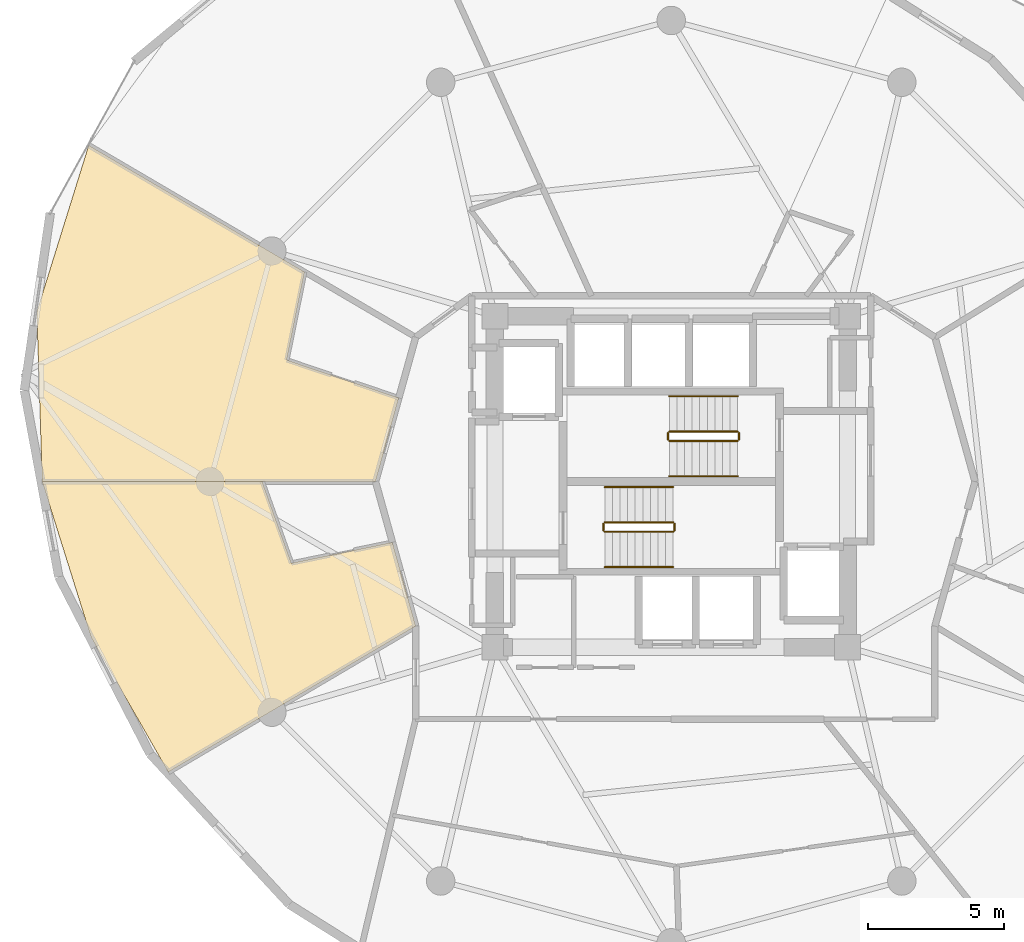
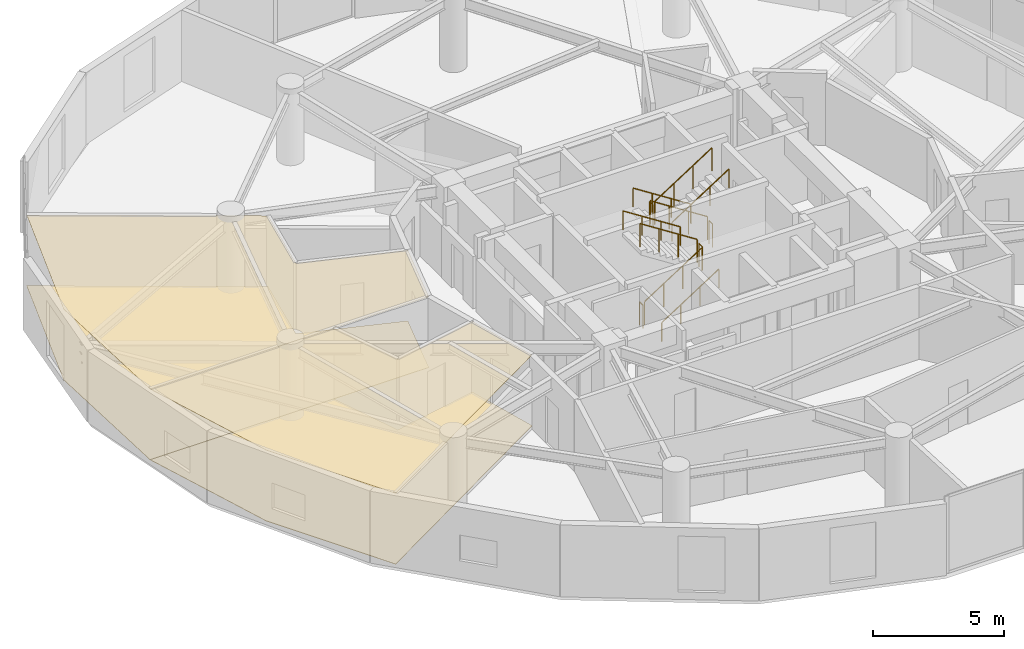
# One storey, part 20 of 21: 12 railings, 4 coverings.
"""IFC4 building model written with IfcOpenShell, lengths in metres."""

from ifc_helpers import new_model, si_unit, direction, frame, origin, origin_2d, place, context, subcontext, project, spatial, polyline, circle, outline, extrude, material, layer, layer_set, type_object, element, save


model = new_model("IFC4")

# Units and contexts
model_context = context("Model", 3, precision=1e-05, world=origin(), true_north=direction((0.0, 1.0)))
body_context = subcontext(model_context, "Body", "Model", "MODEL_VIEW")
ifc_project = project(units=[si_unit("LENGTHUNIT", "METRE"), si_unit("AREAUNIT", "SQUARE_METRE"), si_unit("VOLUMEUNIT", "CUBIC_METRE"), si_unit("PLANEANGLEUNIT", "RADIAN"), si_unit("MASSUNIT", "GRAM", prefix="KILO")], contexts=[model_context])

# Site, building, storey
site_placement = place(None, origin())
site = spatial("IfcSite", under=ifc_project, at=site_placement, CompositionType="ELEMENT")
building_placement = place(site_placement, origin())
building = spatial("IfcBuilding", under=site, at=building_placement, Name="Solvirekh Grand Hotel", CompositionType="ELEMENT")
storey_placement = place(building_placement, frame((0.0, 0.0, 131.39990234375)))
storey = spatial("IfcBuildingStorey", under=building, at=storey_placement, Name="L33", CompositionType="ELEMENT", Elevation=131.39990234375)

# Coverings
ifc_material_1 = material(Name="Acoustic Mineral Ceiling Tile")
ifc_layer_1 = layer(ifc_material_1, 0.02490234375)
ifc_layer_set_1 = layer_set([ifc_layer_1], Name="Acoustic Mineral Ceiling Tile")
covering_type_1 = type_object("IfcCoveringType", Name="Cov_Ceiling_Acoustic", PredefinedType="CEILING", material=ifc_layer_set_1)
covering_1_placement = place(storey_placement, frame((0.0, 0.0, 3.300048828125)))
element("IfcCovering", 1, at=covering_1_placement, inside=storey, type_object=covering_type_1, Name="L33 Deluxe Guestroom 3503 acoustic ceiling", PredefinedType="CEILING", context=body_context, shape_type="SweptSolid", body=[
    extrude(outline(polyline([(-14.174072265625, 4.48388671875), (-13.51806640625, 7.72998046875), (-21.47412109375, 12.39794921875), (-23.385986328125, 6.26611328125), (-23.18798828125, 0.0), (-10.89990234375, 0.0), (-10.0419921875, 3.089111328125), (-14.174072265625, 4.48388671875)])), origin(), (0.0, 0.0, 1.0), 0.01806640625),
])
covering_2_placement = place(storey_placement, frame((0.0, 0.0, 3.300048828125)))
element("IfcCovering", 2, at=covering_2_placement, inside=storey, type_object=covering_type_1, Name="L33 Deluxe Guestroom 3504 acoustic ceiling", PredefinedType="CEILING", context=body_context, shape_type="SweptSolid", body=[
    extrude(outline(polyline([(-14.00390625, -3.00390625), (-15.077880859375, 0.0), (-23.18798828125, 0.0), (-21.388916015625, -5.73095703125), (-18.5419921875, -10.705078125), (-9.419921875, -5.324951171875), (-10.278076171875, -2.236083984375), (-14.00390625, -3.00390625)])), origin(), (0.0, 0.0, 1.0), 0.01806640625),
])
ifc_material_2 = material(Name="Porcelain Stoneware Flooring", Category="masonry")
ifc_layer_2 = layer(ifc_material_2, 0.030029296875)
ifc_layer_set_2 = layer_set([ifc_layer_2], Name="Porcelain Stoneware Flooring")
covering_type_2 = type_object("IfcCoveringType", Name="Cov_Floor_Stone", PredefinedType="FLOORING", material=ifc_layer_set_2)
covering_3_placement = place(storey_placement, origin())
element("IfcCovering", 3, at=covering_3_placement, inside=storey, type_object=covering_type_2, Name="L33 Deluxe Guestroom 3503 polished granite flooring", PredefinedType="FLOORING", context=body_context, shape_type="SweptSolid", body=[
    extrude(outline(polyline([(-14.174072265625, 4.48388671875), (-13.51806640625, 7.72998046875), (-21.47412109375, 12.39794921875), (-23.385986328125, 6.26611328125), (-23.18798828125, 0.0), (-10.89990234375, 0.0), (-10.0419921875, 3.089111328125), (-14.174072265625, 4.48388671875)])), origin(), (0.0, 0.0, 1.0), 0.02001953125),
])
covering_4_placement = place(storey_placement, origin())
element("IfcCovering", 4, at=covering_4_placement, inside=storey, type_object=covering_type_2, Name="L33 Deluxe Guestroom 3504 polished granite flooring", PredefinedType="FLOORING", context=body_context, shape_type="SweptSolid", body=[
    extrude(outline(polyline([(-14.00390625, -3.00390625), (-15.077880859375, 0.0), (-23.18798828125, 0.0), (-21.388916015625, -5.73095703125), (-18.5419921875, -10.705078125), (-9.419921875, -5.324951171875), (-10.278076171875, -2.236083984375), (-14.00390625, -3.00390625)])), origin(), (0.0, 0.0, 1.0), 0.02001953125),
])

# Railings
ifc_material_3 = material(Name="Steel S355", Category="steel")
railing_type_1 = type_object("IfcRailingType", Name="Guard_Stair_1100", PredefinedType="GUARDRAIL", material=ifc_material_3)
railing_1_placement = place(storey_placement, frame((-2.449951171875, -1.85009765625, 0.18017578125)))
element("IfcRailing", 5, at=railing_1_placement, inside=storey, type_object=railing_type_1, Name="L33 ST-1 stair guard 1", PredefinedType="GUARDRAIL", context=body_context, shape_type="SweptSolid", body=[
    extrude(circle(Radius=0.02392578125, at=origin_2d()), frame((0.0, 0.0, 1.076171875), z_axis=(0.841199657755, 0.0, 0.540724639528), x_axis=(0.0, 1.0, 0.0)), (0.0, 0.0, 1.0), 2.995849609375),
    extrude(circle(Radius=0.02099609375, at=origin_2d()), origin(), (0.0, 0.0, 1.0), 1.052001953125),
    extrude(circle(Radius=0.02099609375, at=origin_2d()), frame((0.840087890625, 0.0, 0.5400390625)), (0.0, 0.0, 1.0), 1.052001953125),
    extrude(circle(Radius=0.02099609375, at=origin_2d()), frame((1.679931640625, 0.0, 1.079833984375)), (0.0, 0.0, 1.0), 1.052001953125),
    extrude(circle(Radius=0.02099609375, at=origin_2d()), frame((2.52001953125, 0.0, 1.619873046875)), (0.0, 0.0, 1.0), 1.052001953125),
])
railing_2_placement = place(storey_placement, frame((0.1201171875, -1.800048828125, 1.800048828125)))
element("IfcRailing", 6, at=railing_2_placement, inside=storey, type_object=railing_type_1, Name="L33 ST-1 stair guard 2", PredefinedType="GUARDRAIL", context=body_context, shape_type="SweptSolid", body=[
    extrude(circle(Radius=0.02392578125, at=origin_2d()), frame((0.0, 0.0, 1.076171875), z_axis=(0.0, 1.0, 0.0), x_axis=(-1.0, 0.0, 0.0)), (0.0, 0.0, 1.0), 0.25),
    extrude(circle(Radius=0.02099609375, at=origin_2d()), origin(), (0.0, 0.0, 1.0), 1.052001953125),
    extrude(circle(Radius=0.02099609375, at=origin_2d()), frame((0.0, 0.25, 0.0)), (0.0, 0.0, 1.0), 1.052001953125),
])
railing_3_placement = place(storey_placement, frame((0.070068359375, -1.5, 1.97998046875)))
element("IfcRailing", 7, at=railing_3_placement, inside=storey, type_object=railing_type_1, Name="L33 ST-1 stair guard 3", PredefinedType="GUARDRAIL", context=body_context, shape_type="SweptSolid", body=[
    extrude(circle(Radius=0.02392578125, at=origin_2d()), frame((0.0, 0.0, 1.076171875), z_axis=(-0.841162588446, 0.0, 0.540782303519), x_axis=(0.0, -1.0, 0.0)), (0.0, 0.0, 1.0), 2.995849609375),
    extrude(circle(Radius=0.02099609375, at=origin_2d()), origin(), (0.0, 0.0, 1.0), 1.052001953125),
    extrude(circle(Radius=0.02099609375, at=origin_2d()), frame((-0.840087890625, 0.0, 0.5400390625)), (0.0, 0.0, 1.0), 1.052001953125),
    extrude(circle(Radius=0.02099609375, at=origin_2d()), frame((-1.679931640625, 0.0, 1.080078125)), (0.0, 0.0, 1.0), 1.052001953125),
    extrude(circle(Radius=0.02099609375, at=origin_2d()), frame((-2.52001953125, 0.0, 1.6201171875)), (0.0, 0.0, 1.0), 1.052001953125),
])
railing_4_placement = place(storey_placement, frame((-2.5, -1.800048828125, 0.0)))
element("IfcRailing", 8, at=railing_4_placement, inside=storey, type_object=railing_type_1, Name="L33 ST-1 stair guard 4", PredefinedType="GUARDRAIL", context=body_context, shape_type="SweptSolid", body=[
    extrude(circle(Radius=0.02392578125, at=origin_2d()), frame((0.0, 0.0, 1.076171875), z_axis=(0.0, 1.0, 0.0), x_axis=(-1.0, 0.0, 0.0)), (0.0, 0.0, 1.0), 0.25),
    extrude(circle(Radius=0.02099609375, at=origin_2d()), origin(), (0.0, 0.0, 1.0), 1.052001953125),
    extrude(circle(Radius=0.02099609375, at=origin_2d()), frame((0.0, 0.25, 0.0)), (0.0, 0.0, 1.0), 1.052001953125),
])
railing_5_placement = place(storey_placement, frame((2.449951171875, 1.85009765625, 0.18017578125)))
element("IfcRailing", 9, at=railing_5_placement, inside=storey, type_object=railing_type_1, Name="L33 ST-2 stair guard 1", PredefinedType="GUARDRAIL", context=body_context, shape_type="SweptSolid", body=[
    extrude(circle(Radius=0.02392578125, at=origin_2d()), frame((0.0, 0.0, 1.076171875), z_axis=(-0.841199657755, 0.0, 0.540724639528), x_axis=(0.0, -1.0, 0.0)), (0.0, 0.0, 1.0), 2.995849609375),
    extrude(circle(Radius=0.02099609375, at=origin_2d()), origin(), (0.0, 0.0, 1.0), 1.052001953125),
    extrude(circle(Radius=0.02099609375, at=origin_2d()), frame((-0.840087890625, 0.0, 0.5400390625)), (0.0, 0.0, 1.0), 1.052001953125),
    extrude(circle(Radius=0.02099609375, at=origin_2d()), frame((-1.679931640625, 0.0, 1.079833984375)), (0.0, 0.0, 1.0), 1.052001953125),
    extrude(circle(Radius=0.02099609375, at=origin_2d()), frame((-2.52001953125, 0.0, 1.619873046875)), (0.0, 0.0, 1.0), 1.052001953125),
])
railing_6_placement = place(storey_placement, frame((-0.1201171875, 1.800048828125, 1.800048828125)))
element("IfcRailing", 10, at=railing_6_placement, inside=storey, type_object=railing_type_1, Name="L33 ST-2 stair guard 2", PredefinedType="GUARDRAIL", context=body_context, shape_type="SweptSolid", body=[
    extrude(circle(Radius=0.02392578125, at=origin_2d()), frame((0.0, 0.0, 1.076171875), z_axis=(0.0, -1.0, 0.0), x_axis=(1.0, 0.0, 0.0)), (0.0, 0.0, 1.0), 0.25),
    extrude(circle(Radius=0.02099609375, at=origin_2d()), origin(), (0.0, 0.0, 1.0), 1.052001953125),
    extrude(circle(Radius=0.02099609375, at=origin_2d()), frame((0.0, -0.25, 0.0)), (0.0, 0.0, 1.0), 1.052001953125),
])
railing_7_placement = place(storey_placement, frame((-0.070068359375, 1.5, 1.97998046875)))
element("IfcRailing", 11, at=railing_7_placement, inside=storey, type_object=railing_type_1, Name="L33 ST-2 stair guard 3", PredefinedType="GUARDRAIL", context=body_context, shape_type="SweptSolid", body=[
    extrude(circle(Radius=0.02392578125, at=origin_2d()), frame((0.0, 0.0, 1.076171875), z_axis=(0.841162588446, 0.0, 0.540782303519), x_axis=(0.0, 1.0, 0.0)), (0.0, 0.0, 1.0), 2.995849609375),
    extrude(circle(Radius=0.02099609375, at=origin_2d()), origin(), (0.0, 0.0, 1.0), 1.052001953125),
    extrude(circle(Radius=0.02099609375, at=origin_2d()), frame((0.840087890625, 0.0, 0.5400390625)), (0.0, 0.0, 1.0), 1.052001953125),
    extrude(circle(Radius=0.02099609375, at=origin_2d()), frame((1.679931640625, 0.0, 1.080078125)), (0.0, 0.0, 1.0), 1.052001953125),
    extrude(circle(Radius=0.02099609375, at=origin_2d()), frame((2.52001953125, 0.0, 1.6201171875)), (0.0, 0.0, 1.0), 1.052001953125),
])
railing_8_placement = place(storey_placement, frame((2.5, 1.800048828125, 0.0)))
element("IfcRailing", 12, at=railing_8_placement, inside=storey, type_object=railing_type_1, Name="L33 ST-2 stair guard 4", PredefinedType="GUARDRAIL", context=body_context, shape_type="SweptSolid", body=[
    extrude(circle(Radius=0.02392578125, at=origin_2d()), frame((0.0, 0.0, 1.076171875), z_axis=(0.0, -1.0, 0.0), x_axis=(1.0, 0.0, 0.0)), (0.0, 0.0, 1.0), 0.25),
    extrude(circle(Radius=0.02099609375, at=origin_2d()), origin(), (0.0, 0.0, 1.0), 1.052001953125),
    extrude(circle(Radius=0.02099609375, at=origin_2d()), frame((0.0, -0.25, 0.0)), (0.0, 0.0, 1.0), 1.052001953125),
])
ifc_material_4 = material(Name="Anodized Bronze Aluminium 6063-T6", Category="aluminium")
railing_type_2 = type_object("IfcRailingType", Name="Handrail_Wall_900", PredefinedType="HANDRAIL", material=ifc_material_4)
railing_9_placement = place(storey_placement, frame((-2.449951171875, -3.14990234375, 0.18017578125)))
element("IfcRailing", 13, at=railing_9_placement, inside=storey, type_object=railing_type_2, Name="L33 ST-1 stair handrail 1", PredefinedType="HANDRAIL", context=body_context, shape_type="SweptSolid", body=[
    extrude(circle(Radius=0.02392578125, at=origin_2d()), frame((0.0, 0.0, 0.8759765625), z_axis=(0.841199657755, 0.0, 0.540724639528), x_axis=(0.0, 1.0, 0.0)), (0.0, 0.0, 1.0), 2.995849609375),
    extrude(circle(Radius=0.02099609375, at=origin_2d()), origin(), (0.0, 0.0, 1.0), 0.851806640625),
    extrude(circle(Radius=0.02099609375, at=origin_2d()), frame((0.840087890625, 0.0, 0.5400390625)), (0.0, 0.0, 1.0), 0.851806640625),
    extrude(circle(Radius=0.02099609375, at=origin_2d()), frame((1.679931640625, 0.0, 1.079833984375)), (0.0, 0.0, 1.0), 0.851806640625),
    extrude(circle(Radius=0.02099609375, at=origin_2d()), frame((2.52001953125, 0.0, 1.619873046875)), (0.0, 0.0, 1.0), 0.851806640625),
])
railing_10_placement = place(storey_placement, frame((0.070068359375, -0.199951171875, 1.97998046875)))
element("IfcRailing", 14, at=railing_10_placement, inside=storey, type_object=railing_type_2, Name="L33 ST-1 stair handrail 2", PredefinedType="HANDRAIL", context=body_context, shape_type="SweptSolid", body=[
    extrude(circle(Radius=0.02392578125, at=origin_2d()), frame((0.0, 0.0, 0.8759765625), z_axis=(-0.841162588446, 0.0, 0.540782303519), x_axis=(0.0, -1.0, 0.0)), (0.0, 0.0, 1.0), 2.995849609375),
    extrude(circle(Radius=0.02099609375, at=origin_2d()), origin(), (0.0, 0.0, 1.0), 0.851806640625),
    extrude(circle(Radius=0.02099609375, at=origin_2d()), frame((-0.840087890625, 0.0, 0.5400390625)), (0.0, 0.0, 1.0), 0.851806640625),
    extrude(circle(Radius=0.02099609375, at=origin_2d()), frame((-1.679931640625, 0.0, 1.080078125)), (0.0, 0.0, 1.0), 0.851806640625),
    extrude(circle(Radius=0.02099609375, at=origin_2d()), frame((-2.52001953125, 0.0, 1.6201171875)), (0.0, 0.0, 1.0), 0.851806640625),
])
railing_11_placement = place(storey_placement, frame((2.449951171875, 3.14990234375, 0.18017578125)))
element("IfcRailing", 15, at=railing_11_placement, inside=storey, type_object=railing_type_2, Name="L33 ST-2 stair handrail 1", PredefinedType="HANDRAIL", context=body_context, shape_type="SweptSolid", body=[
    extrude(circle(Radius=0.02392578125, at=origin_2d()), frame((0.0, 0.0, 0.8759765625), z_axis=(-0.841199657755, 0.0, 0.540724639528), x_axis=(0.0, -1.0, 0.0)), (0.0, 0.0, 1.0), 2.995849609375),
    extrude(circle(Radius=0.02099609375, at=origin_2d()), origin(), (0.0, 0.0, 1.0), 0.851806640625),
    extrude(circle(Radius=0.02099609375, at=origin_2d()), frame((-0.840087890625, 0.0, 0.5400390625)), (0.0, 0.0, 1.0), 0.851806640625),
    extrude(circle(Radius=0.02099609375, at=origin_2d()), frame((-1.679931640625, 0.0, 1.079833984375)), (0.0, 0.0, 1.0), 0.851806640625),
    extrude(circle(Radius=0.02099609375, at=origin_2d()), frame((-2.52001953125, 0.0, 1.619873046875)), (0.0, 0.0, 1.0), 0.851806640625),
])
railing_12_placement = place(storey_placement, frame((-0.070068359375, 0.199951171875, 1.97998046875)))
element("IfcRailing", 16, at=railing_12_placement, inside=storey, type_object=railing_type_2, Name="L33 ST-2 stair handrail 2", PredefinedType="HANDRAIL", context=body_context, shape_type="SweptSolid", body=[
    extrude(circle(Radius=0.02392578125, at=origin_2d()), frame((0.0, 0.0, 0.8759765625), z_axis=(0.841162588446, 0.0, 0.540782303519), x_axis=(0.0, 1.0, 0.0)), (0.0, 0.0, 1.0), 2.995849609375),
    extrude(circle(Radius=0.02099609375, at=origin_2d()), origin(), (0.0, 0.0, 1.0), 0.851806640625),
    extrude(circle(Radius=0.02099609375, at=origin_2d()), frame((0.840087890625, 0.0, 0.5400390625)), (0.0, 0.0, 1.0), 0.851806640625),
    extrude(circle(Radius=0.02099609375, at=origin_2d()), frame((1.679931640625, 0.0, 1.080078125)), (0.0, 0.0, 1.0), 0.851806640625),
    extrude(circle(Radius=0.02099609375, at=origin_2d()), frame((2.52001953125, 0.0, 1.6201171875)), (0.0, 0.0, 1.0), 0.851806640625),
])

save(model, "model.ifc")
